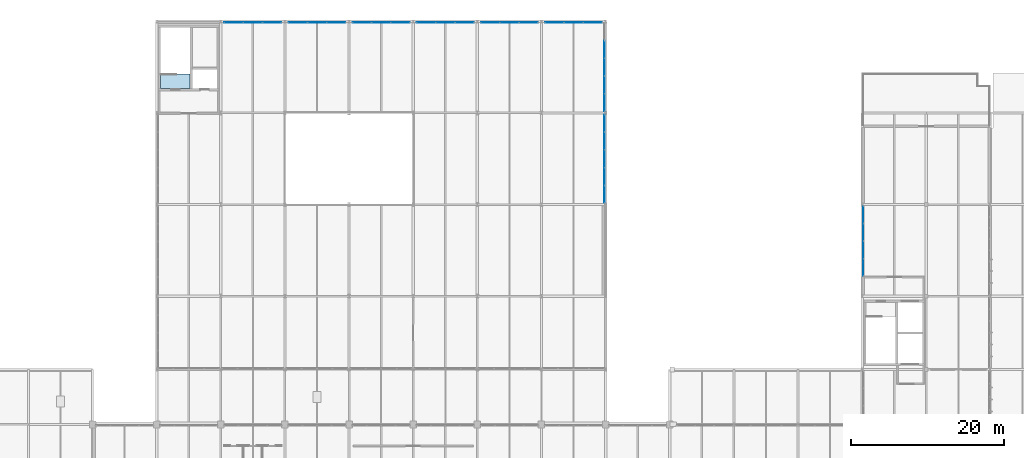
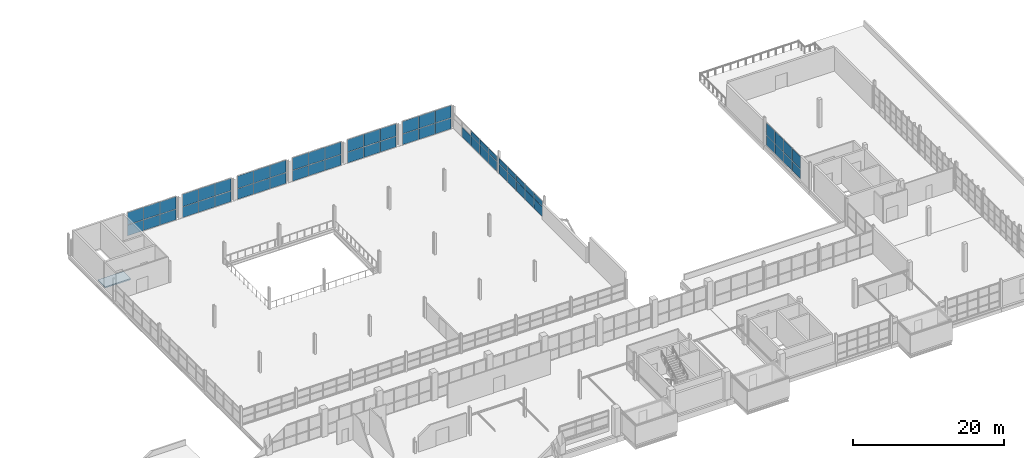
# One storey, part 88 of 103: 61 plates, 1 slab, 9 elements without a shape of their own.
"""IFC4 building model written with IfcOpenShell, lengths in metres."""

from ifc_helpers import new_model, si_unit, direction, frame, origin, origin_2d, place, context, subcontext, project, spatial, polyline, rectangle, outline, extrude, material, layer, layer_set, type_object, element, aggregate, save


model = new_model("IFC4")

# Units and contexts
model_context = context("Model", 3, precision=1e-05, world=origin(), true_north=direction((0.0, 1.0)))
body_context = subcontext(model_context, "Body", "Model", "MODEL_VIEW")
ifc_project = project(units=[si_unit("LENGTHUNIT", "METRE"), si_unit("AREAUNIT", "SQUARE_METRE"), si_unit("VOLUMEUNIT", "CUBIC_METRE"), si_unit("PLANEANGLEUNIT", "RADIAN"), si_unit("MASSUNIT", "GRAM", prefix="KILO")], contexts=[model_context])

# Site, building, storey
site_placement = place(None, origin())
site = spatial("IfcSite", under=ifc_project, at=site_placement, CompositionType="ELEMENT")
building_placement = place(site_placement, origin())
building = spatial("IfcBuilding", under=site, at=building_placement, Name="Veltarok Museum of Natural Sciences", CompositionType="ELEMENT")
storey_placement = place(building_placement, frame((0.0, 0.0, 21.89990234375)))
storey = spatial("IfcBuildingStorey", under=building, at=storey_placement, Name="L04", CompositionType="ELEMENT", Elevation=21.89990234375)

# Slab
ifc_material_1 = material(Name="Concrete C35/45", Category="concrete")
ifc_layer_1 = layer(ifc_material_1, 0.199951171875)
ifc_layer_set_1 = layer_set([ifc_layer_1], Name="Concrete C35/45")
slab_type = type_object("IfcSlabType", Name="Protected Stair Intermediate Landing Slab 200", PredefinedType="LANDING", material=ifc_layer_set_1)
slab_placement = place(storey_placement, frame((0.0, 0.0, -0.199951171875)))
element("IfcSlab", 1, at=slab_placement, inside=storey, type_object=slab_type, Name="Top Stairwell Landing ST-03 L04", PredefinedType="LANDING", context=body_context, shape_type="SweptSolid", body=[
    extrude(outline(polyline([(40.510009765625, 63.179931640625), (44.389892578125, 63.179931640625), (44.389892578125, 65.10009765625), (40.510009765625, 65.10009765625), (40.510009765625, 63.179931640625)])), origin(), (0.0, 0.0, 1.0), 0.199951171875),
])

# Curtain wall, plates
ifc_material_2 = material(Name="Low-iron triple insulated glass", Category="glass")
curtain_wall_type_1 = type_object("IfcCurtainWallType", Name="Curtain Wall System CW-V2N-L04-6-756x388 (V2 North Hall L04 6-7 756x388cm)", PredefinedType="NOTDEFINED", material=ifc_material_2)
curtain_wall_1_placement = place(storey_placement, origin())
curtain_wall_1 = element("IfcCurtainWall", 2, at=curtain_wall_1_placement, inside=storey, type_object=curtain_wall_type_1, Name="Curtain Wall CW-V2N-L04-6-756x388 CW-0061", PredefinedType="NOTDEFINED")
ifc_layer_2 = layer(ifc_material_2, 0.028076171875)
ifc_layer_set_2 = layer_set([ifc_layer_2], Name="Low-iron triple insulated glass")
plate_type = type_object("IfcPlateType", Name="Triple Low-Iron Glazed Vision Panel 28", PredefinedType="CURTAIN_PANEL", material=ifc_layer_set_2)
plate_1_placement = place(storey_placement, frame((55.10498046875, 71.85009765625, 0.06005859375), z_axis=(0.0, 0.0, 1.0), x_axis=(-1.0, 0.0, 0.0)))
plate_1 = element("IfcPlate", 3, at=plate_1_placement, type_object=plate_type, Name="CW-V2N-L04-6-756x388 panel 1.1", PredefinedType="CURTAIN_PANEL", context=body_context, shape_type="SweptSolid", body=[
    extrude(rectangle(XDim=2.429931640625, YDim=0.028076171875, at=origin_2d()), origin(), (0.0, 0.0, 1.0), 1.7099609375),
])
plate_2_placement = place(storey_placement, frame((55.10498046875, 71.85009765625, 1.830078125), z_axis=(0.0, 0.0, 1.0), x_axis=(-1.0, 0.0, 0.0)))
plate_2 = element("IfcPlate", 4, at=plate_2_placement, type_object=plate_type, Name="CW-V2N-L04-6-756x388 panel 1.2", PredefinedType="CURTAIN_PANEL", context=body_context, shape_type="SweptSolid", body=[
    extrude(rectangle(XDim=2.429931640625, YDim=0.028076171875, at=origin_2d()), origin(), (0.0, 0.0, 1.0), 1.989990234375),
])
plate_3_placement = place(storey_placement, frame((52.60009765625, 71.85009765625, 0.06005859375), z_axis=(0.0, 0.0, 1.0), x_axis=(-1.0, 0.0, 0.0)))
plate_3 = element("IfcPlate", 5, at=plate_3_placement, type_object=plate_type, Name="CW-V2N-L04-6-756x388 panel 2.1", PredefinedType="CURTAIN_PANEL", context=body_context, shape_type="SweptSolid", body=[
    extrude(rectangle(XDim=2.4599609375, YDim=0.028076171875, at=origin_2d()), origin(), (0.0, 0.0, 1.0), 1.7099609375),
])
plate_4_placement = place(storey_placement, frame((52.60009765625, 71.85009765625, 1.830078125), z_axis=(0.0, 0.0, 1.0), x_axis=(-1.0, 0.0, 0.0)))
plate_4 = element("IfcPlate", 6, at=plate_4_placement, type_object=plate_type, Name="CW-V2N-L04-6-756x388 panel 2.2", PredefinedType="CURTAIN_PANEL", context=body_context, shape_type="SweptSolid", body=[
    extrude(rectangle(XDim=2.4599609375, YDim=0.028076171875, at=origin_2d()), origin(), (0.0, 0.0, 1.0), 1.989990234375),
])
plate_5_placement = place(storey_placement, frame((50.094970703125, 71.85009765625, 0.06005859375), z_axis=(0.0, 0.0, 1.0), x_axis=(-1.0, 0.0, 0.0)))
plate_5 = element("IfcPlate", 7, at=plate_5_placement, type_object=plate_type, Name="CW-V2N-L04-6-756x388 panel 3.1", PredefinedType="CURTAIN_PANEL", context=body_context, shape_type="SweptSolid", body=[
    extrude(rectangle(XDim=2.429931640625, YDim=0.028076171875, at=origin_2d()), origin(), (0.0, 0.0, 1.0), 1.7099609375),
])
plate_6_placement = place(storey_placement, frame((50.094970703125, 71.85009765625, 1.830078125), z_axis=(0.0, 0.0, 1.0), x_axis=(-1.0, 0.0, 0.0)))
plate_6 = element("IfcPlate", 8, at=plate_6_placement, type_object=plate_type, Name="CW-V2N-L04-6-756x388 panel 3.2", PredefinedType="CURTAIN_PANEL", context=body_context, shape_type="SweptSolid", body=[
    extrude(rectangle(XDim=2.429931640625, YDim=0.028076171875, at=origin_2d()), origin(), (0.0, 0.0, 1.0), 1.989990234375),
])
aggregate(curtain_wall_1, [plate_1, plate_2, plate_3, plate_4, plate_5, plate_6])

curtain_wall_type_2 = type_object("IfcCurtainWallType", Name="Curtain Wall System CW-V2N-L04-7-756x388 (V2 North Hall L04 7-8 756x388cm)", PredefinedType="NOTDEFINED", material=ifc_material_2)
curtain_wall_2_placement = place(storey_placement, origin())
curtain_wall_2 = element("IfcCurtainWall", 9, at=curtain_wall_2_placement, inside=storey, type_object=curtain_wall_type_2, Name="Curtain Wall CW-V2N-L04-7-756x388 CW-0062", PredefinedType="NOTDEFINED")
plate_7_placement = place(storey_placement, frame((63.5048828125, 71.85009765625, 0.06005859375), z_axis=(0.0, 0.0, 1.0), x_axis=(-1.0, 0.0, 0.0)))
plate_7 = element("IfcPlate", 10, at=plate_7_placement, type_object=plate_type, Name="CW-V2N-L04-7-756x388 panel 1.1", PredefinedType="CURTAIN_PANEL", context=body_context, shape_type="SweptSolid", body=[
    extrude(rectangle(XDim=2.429931640625, YDim=0.028076171875, at=origin_2d()), origin(), (0.0, 0.0, 1.0), 1.7099609375),
])
plate_8_placement = place(storey_placement, frame((63.5048828125, 71.85009765625, 1.830078125), z_axis=(0.0, 0.0, 1.0), x_axis=(-1.0, 0.0, 0.0)))
plate_8 = element("IfcPlate", 11, at=plate_8_placement, type_object=plate_type, Name="CW-V2N-L04-7-756x388 panel 1.2", PredefinedType="CURTAIN_PANEL", context=body_context, shape_type="SweptSolid", body=[
    extrude(rectangle(XDim=2.429931640625, YDim=0.028076171875, at=origin_2d()), origin(), (0.0, 0.0, 1.0), 1.989990234375),
])
plate_9_placement = place(storey_placement, frame((61.0, 71.85009765625, 0.06005859375), z_axis=(0.0, 0.0, 1.0), x_axis=(-1.0, 0.0, 0.0)))
plate_9 = element("IfcPlate", 12, at=plate_9_placement, type_object=plate_type, Name="CW-V2N-L04-7-756x388 panel 2.1", PredefinedType="CURTAIN_PANEL", context=body_context, shape_type="SweptSolid", body=[
    extrude(rectangle(XDim=2.4599609375, YDim=0.028076171875, at=origin_2d()), origin(), (0.0, 0.0, 1.0), 1.7099609375),
])
plate_10_placement = place(storey_placement, frame((61.0, 71.85009765625, 1.830078125), z_axis=(0.0, 0.0, 1.0), x_axis=(-1.0, 0.0, 0.0)))
plate_10 = element("IfcPlate", 13, at=plate_10_placement, type_object=plate_type, Name="CW-V2N-L04-7-756x388 panel 2.2", PredefinedType="CURTAIN_PANEL", context=body_context, shape_type="SweptSolid", body=[
    extrude(rectangle(XDim=2.4599609375, YDim=0.028076171875, at=origin_2d()), origin(), (0.0, 0.0, 1.0), 1.989990234375),
])
plate_11_placement = place(storey_placement, frame((58.4951171875, 71.85009765625, 0.06005859375), z_axis=(0.0, 0.0, 1.0), x_axis=(-1.0, 0.0, 0.0)))
plate_11 = element("IfcPlate", 14, at=plate_11_placement, type_object=plate_type, Name="CW-V2N-L04-7-756x388 panel 3.1", PredefinedType="CURTAIN_PANEL", context=body_context, shape_type="SweptSolid", body=[
    extrude(rectangle(XDim=2.429931640625, YDim=0.028076171875, at=origin_2d()), origin(), (0.0, 0.0, 1.0), 1.7099609375),
])
plate_12_placement = place(storey_placement, frame((58.4951171875, 71.85009765625, 1.830078125), z_axis=(0.0, 0.0, 1.0), x_axis=(-1.0, 0.0, 0.0)))
plate_12 = element("IfcPlate", 15, at=plate_12_placement, type_object=plate_type, Name="CW-V2N-L04-7-756x388 panel 3.2", PredefinedType="CURTAIN_PANEL", context=body_context, shape_type="SweptSolid", body=[
    extrude(rectangle(XDim=2.429931640625, YDim=0.028076171875, at=origin_2d()), origin(), (0.0, 0.0, 1.0), 1.989990234375),
])
aggregate(curtain_wall_2, [plate_7, plate_8, plate_9, plate_10, plate_11, plate_12])

curtain_wall_type_3 = type_object("IfcCurtainWallType", Name="Curtain Wall System CW-V2N-L04-8-756x388 (V2 North Hall L04 8-9 756x388cm)", PredefinedType="NOTDEFINED", material=ifc_material_2)
curtain_wall_3_placement = place(storey_placement, origin())
curtain_wall_3 = element("IfcCurtainWall", 16, at=curtain_wall_3_placement, inside=storey, type_object=curtain_wall_type_3, Name="Curtain Wall CW-V2N-L04-8-756x388 CW-0063", PredefinedType="NOTDEFINED")
plate_13_placement = place(storey_placement, frame((71.905029296875, 71.85009765625, 0.06005859375), z_axis=(0.0, 0.0, 1.0), x_axis=(-1.0, 0.0, 0.0)))
plate_13 = element("IfcPlate", 17, at=plate_13_placement, type_object=plate_type, Name="CW-V2N-L04-8-756x388 panel 1.1", PredefinedType="CURTAIN_PANEL", context=body_context, shape_type="SweptSolid", body=[
    extrude(rectangle(XDim=2.429931640625, YDim=0.028076171875, at=origin_2d()), origin(), (0.0, 0.0, 1.0), 1.7099609375),
])
plate_14_placement = place(storey_placement, frame((71.905029296875, 71.85009765625, 1.830078125), z_axis=(0.0, 0.0, 1.0), x_axis=(-1.0, 0.0, 0.0)))
plate_14 = element("IfcPlate", 18, at=plate_14_placement, type_object=plate_type, Name="CW-V2N-L04-8-756x388 panel 1.2", PredefinedType="CURTAIN_PANEL", context=body_context, shape_type="SweptSolid", body=[
    extrude(rectangle(XDim=2.429931640625, YDim=0.028076171875, at=origin_2d()), origin(), (0.0, 0.0, 1.0), 1.989990234375),
])
plate_15_placement = place(storey_placement, frame((69.39990234375, 71.85009765625, 0.06005859375), z_axis=(0.0, 0.0, 1.0), x_axis=(-1.0, 0.0, 0.0)))
plate_15 = element("IfcPlate", 19, at=plate_15_placement, type_object=plate_type, Name="CW-V2N-L04-8-756x388 panel 2.1", PredefinedType="CURTAIN_PANEL", context=body_context, shape_type="SweptSolid", body=[
    extrude(rectangle(XDim=2.4599609375, YDim=0.028076171875, at=origin_2d()), origin(), (0.0, 0.0, 1.0), 1.7099609375),
])
plate_16_placement = place(storey_placement, frame((69.39990234375, 71.85009765625, 1.830078125), z_axis=(0.0, 0.0, 1.0), x_axis=(-1.0, 0.0, 0.0)))
plate_16 = element("IfcPlate", 20, at=plate_16_placement, type_object=plate_type, Name="CW-V2N-L04-8-756x388 panel 2.2", PredefinedType="CURTAIN_PANEL", context=body_context, shape_type="SweptSolid", body=[
    extrude(rectangle(XDim=2.4599609375, YDim=0.028076171875, at=origin_2d()), origin(), (0.0, 0.0, 1.0), 1.989990234375),
])
plate_17_placement = place(storey_placement, frame((66.89501953125, 71.85009765625, 0.06005859375), z_axis=(0.0, 0.0, 1.0), x_axis=(-1.0, 0.0, 0.0)))
plate_17 = element("IfcPlate", 21, at=plate_17_placement, type_object=plate_type, Name="CW-V2N-L04-8-756x388 panel 3.1", PredefinedType="CURTAIN_PANEL", context=body_context, shape_type="SweptSolid", body=[
    extrude(rectangle(XDim=2.429931640625, YDim=0.028076171875, at=origin_2d()), origin(), (0.0, 0.0, 1.0), 1.7099609375),
])
plate_18_placement = place(storey_placement, frame((66.89501953125, 71.85009765625, 1.830078125), z_axis=(0.0, 0.0, 1.0), x_axis=(-1.0, 0.0, 0.0)))
plate_18 = element("IfcPlate", 22, at=plate_18_placement, type_object=plate_type, Name="CW-V2N-L04-8-756x388 panel 3.2", PredefinedType="CURTAIN_PANEL", context=body_context, shape_type="SweptSolid", body=[
    extrude(rectangle(XDim=2.429931640625, YDim=0.028076171875, at=origin_2d()), origin(), (0.0, 0.0, 1.0), 1.989990234375),
])
aggregate(curtain_wall_3, [plate_13, plate_14, plate_15, plate_16, plate_17, plate_18])

curtain_wall_type_4 = type_object("IfcCurtainWallType", Name="Curtain Wall System CW-V2N-L04-9-756x388 (V2 North Hall L04 9-10 756x388cm)", PredefinedType="NOTDEFINED", material=ifc_material_2)
curtain_wall_4_placement = place(storey_placement, origin())
curtain_wall_4 = element("IfcCurtainWall", 23, at=curtain_wall_4_placement, inside=storey, type_object=curtain_wall_type_4, Name="Curtain Wall CW-V2N-L04-9-756x388 CW-0064", PredefinedType="NOTDEFINED")
plate_19_placement = place(storey_placement, frame((80.304931640625, 71.85009765625, 0.06005859375), z_axis=(0.0, 0.0, 1.0), x_axis=(-1.0, 0.0, 0.0)))
plate_19 = element("IfcPlate", 24, at=plate_19_placement, type_object=plate_type, Name="CW-V2N-L04-9-756x388 panel 1.1", PredefinedType="CURTAIN_PANEL", context=body_context, shape_type="SweptSolid", body=[
    extrude(rectangle(XDim=2.429931640625, YDim=0.028076171875, at=origin_2d()), origin(), (0.0, 0.0, 1.0), 1.7099609375),
])
plate_20_placement = place(storey_placement, frame((80.304931640625, 71.85009765625, 1.830078125), z_axis=(0.0, 0.0, 1.0), x_axis=(-1.0, 0.0, 0.0)))
plate_20 = element("IfcPlate", 25, at=plate_20_placement, type_object=plate_type, Name="CW-V2N-L04-9-756x388 panel 1.2", PredefinedType="CURTAIN_PANEL", context=body_context, shape_type="SweptSolid", body=[
    extrude(rectangle(XDim=2.429931640625, YDim=0.028076171875, at=origin_2d()), origin(), (0.0, 0.0, 1.0), 1.989990234375),
])
plate_21_placement = place(storey_placement, frame((77.800048828125, 71.85009765625, 0.06005859375), z_axis=(0.0, 0.0, 1.0), x_axis=(-1.0, 0.0, 0.0)))
plate_21 = element("IfcPlate", 26, at=plate_21_placement, type_object=plate_type, Name="CW-V2N-L04-9-756x388 panel 2.1", PredefinedType="CURTAIN_PANEL", context=body_context, shape_type="SweptSolid", body=[
    extrude(rectangle(XDim=2.4599609375, YDim=0.028076171875, at=origin_2d()), origin(), (0.0, 0.0, 1.0), 1.7099609375),
])
plate_22_placement = place(storey_placement, frame((77.800048828125, 71.85009765625, 1.830078125), z_axis=(0.0, 0.0, 1.0), x_axis=(-1.0, 0.0, 0.0)))
plate_22 = element("IfcPlate", 27, at=plate_22_placement, type_object=plate_type, Name="CW-V2N-L04-9-756x388 panel 2.2", PredefinedType="CURTAIN_PANEL", context=body_context, shape_type="SweptSolid", body=[
    extrude(rectangle(XDim=2.4599609375, YDim=0.028076171875, at=origin_2d()), origin(), (0.0, 0.0, 1.0), 1.989990234375),
])
plate_23_placement = place(storey_placement, frame((75.294921875, 71.85009765625, 0.06005859375), z_axis=(0.0, 0.0, 1.0), x_axis=(-1.0, 0.0, 0.0)))
plate_23 = element("IfcPlate", 28, at=plate_23_placement, type_object=plate_type, Name="CW-V2N-L04-9-756x388 panel 3.1", PredefinedType="CURTAIN_PANEL", context=body_context, shape_type="SweptSolid", body=[
    extrude(rectangle(XDim=2.429931640625, YDim=0.028076171875, at=origin_2d()), origin(), (0.0, 0.0, 1.0), 1.7099609375),
])
plate_24_placement = place(storey_placement, frame((75.294921875, 71.85009765625, 1.830078125), z_axis=(0.0, 0.0, 1.0), x_axis=(-1.0, 0.0, 0.0)))
plate_24 = element("IfcPlate", 29, at=plate_24_placement, type_object=plate_type, Name="CW-V2N-L04-9-756x388 panel 3.2", PredefinedType="CURTAIN_PANEL", context=body_context, shape_type="SweptSolid", body=[
    extrude(rectangle(XDim=2.429931640625, YDim=0.028076171875, at=origin_2d()), origin(), (0.0, 0.0, 1.0), 1.989990234375),
])
aggregate(curtain_wall_4, [plate_19, plate_20, plate_21, plate_22, plate_23, plate_24])

curtain_wall_type_5 = type_object("IfcCurtainWallType", Name="Curtain Wall System CW-V2N-L04-10-756x388 (V2 North Hall L04 10-11 756x388cm)", PredefinedType="NOTDEFINED", material=ifc_material_2)
curtain_wall_5_placement = place(storey_placement, origin())
curtain_wall_5 = element("IfcCurtainWall", 30, at=curtain_wall_5_placement, inside=storey, type_object=curtain_wall_type_5, Name="Curtain Wall CW-V2N-L04-10-756x388 CW-0065", PredefinedType="NOTDEFINED")
plate_25_placement = place(storey_placement, frame((88.705078125, 71.85009765625, 0.06005859375), z_axis=(0.0, 0.0, 1.0), x_axis=(-1.0, 0.0, 0.0)))
plate_25 = element("IfcPlate", 31, at=plate_25_placement, type_object=plate_type, Name="CW-V2N-L04-10-756x388 panel 1.1", PredefinedType="CURTAIN_PANEL", context=body_context, shape_type="SweptSolid", body=[
    extrude(rectangle(XDim=2.429931640625, YDim=0.028076171875, at=origin_2d()), origin(), (0.0, 0.0, 1.0), 1.7099609375),
])
plate_26_placement = place(storey_placement, frame((88.705078125, 71.85009765625, 1.830078125), z_axis=(0.0, 0.0, 1.0), x_axis=(-1.0, 0.0, 0.0)))
plate_26 = element("IfcPlate", 32, at=plate_26_placement, type_object=plate_type, Name="CW-V2N-L04-10-756x388 panel 1.2", PredefinedType="CURTAIN_PANEL", context=body_context, shape_type="SweptSolid", body=[
    extrude(rectangle(XDim=2.429931640625, YDim=0.028076171875, at=origin_2d()), origin(), (0.0, 0.0, 1.0), 1.989990234375),
])
plate_27_placement = place(storey_placement, frame((86.199951171875, 71.85009765625, 0.06005859375), z_axis=(0.0, 0.0, 1.0), x_axis=(-1.0, 0.0, 0.0)))
plate_27 = element("IfcPlate", 33, at=plate_27_placement, type_object=plate_type, Name="CW-V2N-L04-10-756x388 panel 2.1", PredefinedType="CURTAIN_PANEL", context=body_context, shape_type="SweptSolid", body=[
    extrude(rectangle(XDim=2.4599609375, YDim=0.028076171875, at=origin_2d()), origin(), (0.0, 0.0, 1.0), 1.7099609375),
])
plate_28_placement = place(storey_placement, frame((86.199951171875, 71.85009765625, 1.830078125), z_axis=(0.0, 0.0, 1.0), x_axis=(-1.0, 0.0, 0.0)))
plate_28 = element("IfcPlate", 34, at=plate_28_placement, type_object=plate_type, Name="CW-V2N-L04-10-756x388 panel 2.2", PredefinedType="CURTAIN_PANEL", context=body_context, shape_type="SweptSolid", body=[
    extrude(rectangle(XDim=2.4599609375, YDim=0.028076171875, at=origin_2d()), origin(), (0.0, 0.0, 1.0), 1.989990234375),
])
plate_29_placement = place(storey_placement, frame((83.695068359375, 71.85009765625, 0.06005859375), z_axis=(0.0, 0.0, 1.0), x_axis=(-1.0, 0.0, 0.0)))
plate_29 = element("IfcPlate", 35, at=plate_29_placement, type_object=plate_type, Name="CW-V2N-L04-10-756x388 panel 3.1", PredefinedType="CURTAIN_PANEL", context=body_context, shape_type="SweptSolid", body=[
    extrude(rectangle(XDim=2.429931640625, YDim=0.028076171875, at=origin_2d()), origin(), (0.0, 0.0, 1.0), 1.7099609375),
])
plate_30_placement = place(storey_placement, frame((83.695068359375, 71.85009765625, 1.830078125), z_axis=(0.0, 0.0, 1.0), x_axis=(-1.0, 0.0, 0.0)))
plate_30 = element("IfcPlate", 36, at=plate_30_placement, type_object=plate_type, Name="CW-V2N-L04-10-756x388 panel 3.2", PredefinedType="CURTAIN_PANEL", context=body_context, shape_type="SweptSolid", body=[
    extrude(rectangle(XDim=2.429931640625, YDim=0.028076171875, at=origin_2d()), origin(), (0.0, 0.0, 1.0), 1.989990234375),
])
aggregate(curtain_wall_5, [plate_25, plate_26, plate_27, plate_28, plate_29, plate_30])

curtain_wall_type_6 = type_object("IfcCurtainWallType", Name="Curtain Wall System CW-V2N-L04-11-756x388 (V2 North Hall L04 11-12 756x388cm)", PredefinedType="NOTDEFINED", material=ifc_material_2)
curtain_wall_6_placement = place(storey_placement, origin())
curtain_wall_6 = element("IfcCurtainWall", 37, at=curtain_wall_6_placement, inside=storey, type_object=curtain_wall_type_6, Name="Curtain Wall CW-V2N-L04-11-756x388 CW-0066", PredefinedType="NOTDEFINED")
plate_31_placement = place(storey_placement, frame((97.10498046875, 71.85009765625, 0.06005859375), z_axis=(0.0, 0.0, 1.0), x_axis=(-1.0, 0.0, 0.0)))
plate_31 = element("IfcPlate", 38, at=plate_31_placement, type_object=plate_type, Name="CW-V2N-L04-11-756x388 panel 1.1", PredefinedType="CURTAIN_PANEL", context=body_context, shape_type="SweptSolid", body=[
    extrude(rectangle(XDim=2.429931640625, YDim=0.028076171875, at=origin_2d()), origin(), (0.0, 0.0, 1.0), 1.7099609375),
])
plate_32_placement = place(storey_placement, frame((97.10498046875, 71.85009765625, 1.830078125), z_axis=(0.0, 0.0, 1.0), x_axis=(-1.0, 0.0, 0.0)))
plate_32 = element("IfcPlate", 39, at=plate_32_placement, type_object=plate_type, Name="CW-V2N-L04-11-756x388 panel 1.2", PredefinedType="CURTAIN_PANEL", context=body_context, shape_type="SweptSolid", body=[
    extrude(rectangle(XDim=2.429931640625, YDim=0.028076171875, at=origin_2d()), origin(), (0.0, 0.0, 1.0), 1.989990234375),
])
plate_33_placement = place(storey_placement, frame((94.60009765625, 71.85009765625, 0.06005859375), z_axis=(0.0, 0.0, 1.0), x_axis=(-1.0, 0.0, 0.0)))
plate_33 = element("IfcPlate", 40, at=plate_33_placement, type_object=plate_type, Name="CW-V2N-L04-11-756x388 panel 2.1", PredefinedType="CURTAIN_PANEL", context=body_context, shape_type="SweptSolid", body=[
    extrude(rectangle(XDim=2.4599609375, YDim=0.028076171875, at=origin_2d()), origin(), (0.0, 0.0, 1.0), 1.7099609375),
])
plate_34_placement = place(storey_placement, frame((94.60009765625, 71.85009765625, 1.830078125), z_axis=(0.0, 0.0, 1.0), x_axis=(-1.0, 0.0, 0.0)))
plate_34 = element("IfcPlate", 41, at=plate_34_placement, type_object=plate_type, Name="CW-V2N-L04-11-756x388 panel 2.2", PredefinedType="CURTAIN_PANEL", context=body_context, shape_type="SweptSolid", body=[
    extrude(rectangle(XDim=2.4599609375, YDim=0.028076171875, at=origin_2d()), origin(), (0.0, 0.0, 1.0), 1.989990234375),
])
plate_35_placement = place(storey_placement, frame((92.094970703125, 71.85009765625, 0.06005859375), z_axis=(0.0, 0.0, 1.0), x_axis=(-1.0, 0.0, 0.0)))
plate_35 = element("IfcPlate", 42, at=plate_35_placement, type_object=plate_type, Name="CW-V2N-L04-11-756x388 panel 3.1", PredefinedType="CURTAIN_PANEL", context=body_context, shape_type="SweptSolid", body=[
    extrude(rectangle(XDim=2.429931640625, YDim=0.028076171875, at=origin_2d()), origin(), (0.0, 0.0, 1.0), 1.7099609375),
])
plate_36_placement = place(storey_placement, frame((92.094970703125, 71.85009765625, 1.830078125), z_axis=(0.0, 0.0, 1.0), x_axis=(-1.0, 0.0, 0.0)))
plate_36 = element("IfcPlate", 43, at=plate_36_placement, type_object=plate_type, Name="CW-V2N-L04-11-756x388 panel 3.2", PredefinedType="CURTAIN_PANEL", context=body_context, shape_type="SweptSolid", body=[
    extrude(rectangle(XDim=2.429931640625, YDim=0.028076171875, at=origin_2d()), origin(), (0.0, 0.0, 1.0), 1.989990234375),
])
aggregate(curtain_wall_6, [plate_31, plate_32, plate_33, plate_34, plate_35, plate_36])

curtain_wall_type_7 = type_object("IfcCurtainWallType", Name="Curtain Wall System CW-V2E-L04-1-1166x259 (CW-V2E L04 1166x259cm)", PredefinedType="NOTDEFINED", material=ifc_material_2)
curtain_wall_7_placement = place(storey_placement, origin())
curtain_wall_7 = element("IfcCurtainWall", 44, at=curtain_wall_7_placement, inside=storey, type_object=curtain_wall_type_7, Name="Curtain Wall CW-V2E-L04-1-1166x259 CW-0137", PredefinedType="NOTDEFINED")
plate_37_placement = place(storey_placement, frame((98.64990234375, 49.35107421875, 0.05810546875), z_axis=(0.0, 0.0, 1.0), x_axis=(0.0, 1.0, 0.0)))
plate_37 = element("IfcPlate", 45, at=plate_37_placement, type_object=plate_type, Name="CW-V2E-L04-1-1166x259 panel 1.1", PredefinedType="CURTAIN_PANEL", context=body_context, shape_type="SweptSolid", body=[
    extrude(rectangle(XDim=2.241943359375, YDim=0.028076171875, at=origin_2d()), origin(), (0.0, 0.0, 1.0), 1.56005859375),
])
plate_38_placement = place(storey_placement, frame((98.64990234375, 49.35107421875, 1.677978515625), z_axis=(0.0, 0.0, 1.0), x_axis=(0.0, 1.0, 0.0)))
plate_38 = element("IfcPlate", 46, at=plate_38_placement, type_object=plate_type, Name="CW-V2E-L04-1-1166x259 panel 1.2", PredefinedType="CURTAIN_PANEL", context=body_context, shape_type="SweptSolid", body=[
    extrude(rectangle(XDim=2.241943359375, YDim=0.028076171875, at=origin_2d()), origin(), (0.0, 0.0, 1.0), 0.85205078125),
])
plate_39_placement = place(storey_placement, frame((98.64990234375, 51.66796875, 0.05810546875), z_axis=(0.0, 0.0, 1.0), x_axis=(0.0, 1.0, 0.0)))
plate_39 = element("IfcPlate", 47, at=plate_39_placement, type_object=plate_type, Name="CW-V2E-L04-1-1166x259 panel 2.1", PredefinedType="CURTAIN_PANEL", context=body_context, shape_type="SweptSolid", body=[
    extrude(rectangle(XDim=2.27197265625, YDim=0.028076171875, at=origin_2d()), origin(), (0.0, 0.0, 1.0), 1.56005859375),
])
plate_40_placement = place(storey_placement, frame((98.64990234375, 51.66796875, 1.677978515625), z_axis=(0.0, 0.0, 1.0), x_axis=(0.0, 1.0, 0.0)))
plate_40 = element("IfcPlate", 48, at=plate_40_placement, type_object=plate_type, Name="CW-V2E-L04-1-1166x259 panel 2.2", PredefinedType="CURTAIN_PANEL", context=body_context, shape_type="SweptSolid", body=[
    extrude(rectangle(XDim=2.27197265625, YDim=0.028076171875, at=origin_2d()), origin(), (0.0, 0.0, 1.0), 0.85205078125),
])
plate_41_placement = place(storey_placement, frame((98.64990234375, 54.0, 0.05810546875), z_axis=(0.0, 0.0, 1.0), x_axis=(0.0, 1.0, 0.0)))
plate_41 = element("IfcPlate", 49, at=plate_41_placement, type_object=plate_type, Name="CW-V2E-L04-1-1166x259 panel 3.1", PredefinedType="CURTAIN_PANEL", context=body_context, shape_type="SweptSolid", body=[
    extrude(rectangle(XDim=2.27197265625, YDim=0.028076171875, at=origin_2d()), origin(), (0.0, 0.0, 1.0), 1.56005859375),
])
plate_42_placement = place(storey_placement, frame((98.64990234375, 54.0, 1.677978515625), z_axis=(0.0, 0.0, 1.0), x_axis=(0.0, 1.0, 0.0)))
plate_42 = element("IfcPlate", 50, at=plate_42_placement, type_object=plate_type, Name="CW-V2E-L04-1-1166x259 panel 3.2", PredefinedType="CURTAIN_PANEL", context=body_context, shape_type="SweptSolid", body=[
    extrude(rectangle(XDim=2.27197265625, YDim=0.028076171875, at=origin_2d()), origin(), (0.0, 0.0, 1.0), 0.85205078125),
])
plate_43_placement = place(storey_placement, frame((98.64990234375, 56.33203125, 0.05810546875), z_axis=(0.0, 0.0, 1.0), x_axis=(0.0, 1.0, 0.0)))
plate_43 = element("IfcPlate", 51, at=plate_43_placement, type_object=plate_type, Name="CW-V2E-L04-1-1166x259 panel 4.1", PredefinedType="CURTAIN_PANEL", context=body_context, shape_type="SweptSolid", body=[
    extrude(rectangle(XDim=2.27197265625, YDim=0.028076171875, at=origin_2d()), origin(), (0.0, 0.0, 1.0), 1.56005859375),
])
plate_44_placement = place(storey_placement, frame((98.64990234375, 56.33203125, 1.677978515625), z_axis=(0.0, 0.0, 1.0), x_axis=(0.0, 1.0, 0.0)))
plate_44 = element("IfcPlate", 52, at=plate_44_placement, type_object=plate_type, Name="CW-V2E-L04-1-1166x259 panel 4.2", PredefinedType="CURTAIN_PANEL", context=body_context, shape_type="SweptSolid", body=[
    extrude(rectangle(XDim=2.27197265625, YDim=0.028076171875, at=origin_2d()), origin(), (0.0, 0.0, 1.0), 0.85205078125),
])
plate_45_placement = place(storey_placement, frame((98.64990234375, 58.64892578125, 0.05810546875), z_axis=(0.0, 0.0, 1.0), x_axis=(0.0, 1.0, 0.0)))
plate_45 = element("IfcPlate", 53, at=plate_45_placement, type_object=plate_type, Name="CW-V2E-L04-1-1166x259 panel 5.1", PredefinedType="CURTAIN_PANEL", context=body_context, shape_type="SweptSolid", body=[
    extrude(rectangle(XDim=2.241943359375, YDim=0.028076171875, at=origin_2d()), origin(), (0.0, 0.0, 1.0), 1.56005859375),
])
plate_46_placement = place(storey_placement, frame((98.64990234375, 58.64892578125, 1.677978515625), z_axis=(0.0, 0.0, 1.0), x_axis=(0.0, 1.0, 0.0)))
plate_46 = element("IfcPlate", 54, at=plate_46_placement, type_object=plate_type, Name="CW-V2E-L04-1-1166x259 panel 5.2", PredefinedType="CURTAIN_PANEL", context=body_context, shape_type="SweptSolid", body=[
    extrude(rectangle(XDim=2.241943359375, YDim=0.028076171875, at=origin_2d()), origin(), (0.0, 0.0, 1.0), 0.85205078125),
])
aggregate(curtain_wall_7, [plate_37, plate_38, plate_39, plate_40, plate_41, plate_42, plate_43, plate_44, plate_45, plate_46])

curtain_wall_type_8 = type_object("IfcCurtainWallType", Name="Curtain Wall System CW-V2E-L04-2-1166x254 (CW-V2E L04 1166x254cm)", PredefinedType="NOTDEFINED", material=ifc_material_2)
curtain_wall_8_placement = place(storey_placement, origin())
curtain_wall_8 = element("IfcCurtainWall", 55, at=curtain_wall_8_placement, inside=storey, type_object=curtain_wall_type_8, Name="Curtain Wall CW-V2E-L04-2-1166x254 CW-0138", PredefinedType="NOTDEFINED")
plate_47_placement = place(storey_placement, frame((98.64990234375, 61.35107421875, 0.05810546875), z_axis=(0.0, 0.0, 1.0), x_axis=(0.0, 1.0, 0.0)))
plate_47 = element("IfcPlate", 56, at=plate_47_placement, type_object=plate_type, Name="CW-V2E-L04-2-1166x254 panel 1.1", PredefinedType="CURTAIN_PANEL", context=body_context, shape_type="SweptSolid", body=[
    extrude(rectangle(XDim=2.241943359375, YDim=0.028076171875, at=origin_2d()), origin(), (0.0, 0.0, 1.0), 1.56005859375),
])
plate_48_placement = place(storey_placement, frame((98.64990234375, 61.35107421875, 1.67822265625), z_axis=(0.0, 0.0, 1.0), x_axis=(0.0, 1.0, 0.0)))
plate_48 = element("IfcPlate", 57, at=plate_48_placement, type_object=plate_type, Name="CW-V2E-L04-2-1166x254 panel 1.2", PredefinedType="CURTAIN_PANEL", context=body_context, shape_type="SweptSolid", body=[
    extrude(rectangle(XDim=2.241943359375, YDim=0.028076171875, at=origin_2d()), origin(), (0.0, 0.0, 1.0), 0.802001953125),
])
plate_49_placement = place(storey_placement, frame((98.64990234375, 63.66796875, 0.05810546875), z_axis=(0.0, 0.0, 1.0), x_axis=(0.0, 1.0, 0.0)))
plate_49 = element("IfcPlate", 58, at=plate_49_placement, type_object=plate_type, Name="CW-V2E-L04-2-1166x254 panel 2.1", PredefinedType="CURTAIN_PANEL", context=body_context, shape_type="SweptSolid", body=[
    extrude(rectangle(XDim=2.27197265625, YDim=0.028076171875, at=origin_2d()), origin(), (0.0, 0.0, 1.0), 1.56005859375),
])
plate_50_placement = place(storey_placement, frame((98.64990234375, 63.66796875, 1.67822265625), z_axis=(0.0, 0.0, 1.0), x_axis=(0.0, 1.0, 0.0)))
plate_50 = element("IfcPlate", 59, at=plate_50_placement, type_object=plate_type, Name="CW-V2E-L04-2-1166x254 panel 2.2", PredefinedType="CURTAIN_PANEL", context=body_context, shape_type="SweptSolid", body=[
    extrude(rectangle(XDim=2.27197265625, YDim=0.028076171875, at=origin_2d()), origin(), (0.0, 0.0, 1.0), 0.802001953125),
])
plate_51_placement = place(storey_placement, frame((98.64990234375, 66.0, 0.05810546875), z_axis=(0.0, 0.0, 1.0), x_axis=(0.0, 1.0, 0.0)))
plate_51 = element("IfcPlate", 60, at=plate_51_placement, type_object=plate_type, Name="CW-V2E-L04-2-1166x254 panel 3.1", PredefinedType="CURTAIN_PANEL", context=body_context, shape_type="SweptSolid", body=[
    extrude(rectangle(XDim=2.27197265625, YDim=0.028076171875, at=origin_2d()), origin(), (0.0, 0.0, 1.0), 1.56005859375),
])
plate_52_placement = place(storey_placement, frame((98.64990234375, 66.0, 1.67822265625), z_axis=(0.0, 0.0, 1.0), x_axis=(0.0, 1.0, 0.0)))
plate_52 = element("IfcPlate", 61, at=plate_52_placement, type_object=plate_type, Name="CW-V2E-L04-2-1166x254 panel 3.2", PredefinedType="CURTAIN_PANEL", context=body_context, shape_type="SweptSolid", body=[
    extrude(rectangle(XDim=2.27197265625, YDim=0.028076171875, at=origin_2d()), origin(), (0.0, 0.0, 1.0), 0.802001953125),
])
plate_53_placement = place(storey_placement, frame((98.64990234375, 68.33203125, 0.05810546875), z_axis=(0.0, 0.0, 1.0), x_axis=(0.0, 1.0, 0.0)))
plate_53 = element("IfcPlate", 62, at=plate_53_placement, type_object=plate_type, Name="CW-V2E-L04-2-1166x254 panel 4.1", PredefinedType="CURTAIN_PANEL", context=body_context, shape_type="SweptSolid", body=[
    extrude(rectangle(XDim=2.27197265625, YDim=0.028076171875, at=origin_2d()), origin(), (0.0, 0.0, 1.0), 1.56005859375),
])
aggregate(curtain_wall_8, [plate_47, plate_48, plate_49, plate_50, plate_51, plate_52, plate_53])

curtain_wall_type_9 = type_object("IfcCurtainWallType", Name="Curtain Wall System CW-V5CW-L04-3-923x373 (CW-V5CW L04 923x373cm)", PredefinedType="NOTDEFINED", material=ifc_material_2)
curtain_wall_9_placement = place(storey_placement, origin())
curtain_wall_9 = element("IfcCurtainWall", 63, at=curtain_wall_9_placement, inside=storey, type_object=curtain_wall_type_9, Name="Curtain Wall CW-V5CW-L04-3-923x373 CW-0183", PredefinedType="NOTDEFINED")
plate_54_placement = place(storey_placement, frame((132.550048828125, 39.768798828125, 0.05810546875), z_axis=(0.0, 0.0, 1.0), x_axis=(0.0, 1.0, 0.0)))
plate_54 = element("IfcPlate", 64, at=plate_54_placement, type_object=plate_type, Name="CW-V5CW-L04-3-923x373 panel 1.1", PredefinedType="CURTAIN_PANEL", context=body_context, shape_type="SweptSolid", body=[
    extrude(rectangle(XDim=2.217529296875, YDim=0.028076171875, at=origin_2d()), origin(), (0.0, 0.0, 1.0), 1.56005859375),
])
plate_55_placement = place(storey_placement, frame((132.550048828125, 39.768798828125, 1.67822265625), z_axis=(0.0, 0.0, 1.0), x_axis=(0.0, 1.0, 0.0)))
plate_55 = element("IfcPlate", 65, at=plate_55_placement, type_object=plate_type, Name="CW-V5CW-L04-3-923x373 panel 1.2", PredefinedType="CURTAIN_PANEL", context=body_context, shape_type="SweptSolid", body=[
    extrude(rectangle(XDim=2.217529296875, YDim=0.028076171875, at=origin_2d()), origin(), (0.0, 0.0, 1.0), 1.991943359375),
])
plate_56_placement = place(storey_placement, frame((132.550048828125, 42.061279296875, 0.05810546875), z_axis=(0.0, 0.0, 1.0), x_axis=(0.0, 1.0, 0.0)))
plate_56 = element("IfcPlate", 66, at=plate_56_placement, type_object=plate_type, Name="CW-V5CW-L04-3-923x373 panel 2.1", PredefinedType="CURTAIN_PANEL", context=body_context, shape_type="SweptSolid", body=[
    extrude(rectangle(XDim=2.24755859375, YDim=0.028076171875, at=origin_2d()), origin(), (0.0, 0.0, 1.0), 1.56005859375),
])
plate_57_placement = place(storey_placement, frame((132.550048828125, 42.061279296875, 1.67822265625), z_axis=(0.0, 0.0, 1.0), x_axis=(0.0, 1.0, 0.0)))
plate_57 = element("IfcPlate", 67, at=plate_57_placement, type_object=plate_type, Name="CW-V5CW-L04-3-923x373 panel 2.2", PredefinedType="CURTAIN_PANEL", context=body_context, shape_type="SweptSolid", body=[
    extrude(rectangle(XDim=2.24755859375, YDim=0.028076171875, at=origin_2d()), origin(), (0.0, 0.0, 1.0), 1.991943359375),
])
plate_58_placement = place(storey_placement, frame((132.550048828125, 44.36865234375, 0.05810546875), z_axis=(0.0, 0.0, 1.0), x_axis=(0.0, 1.0, 0.0)))
plate_58 = element("IfcPlate", 68, at=plate_58_placement, type_object=plate_type, Name="CW-V5CW-L04-3-923x373 panel 3.1", PredefinedType="CURTAIN_PANEL", context=body_context, shape_type="SweptSolid", body=[
    extrude(rectangle(XDim=2.24755859375, YDim=0.028076171875, at=origin_2d()), origin(), (0.0, 0.0, 1.0), 1.56005859375),
])
plate_59_placement = place(storey_placement, frame((132.550048828125, 44.36865234375, 1.67822265625), z_axis=(0.0, 0.0, 1.0), x_axis=(0.0, 1.0, 0.0)))
plate_59 = element("IfcPlate", 69, at=plate_59_placement, type_object=plate_type, Name="CW-V5CW-L04-3-923x373 panel 3.2", PredefinedType="CURTAIN_PANEL", context=body_context, shape_type="SweptSolid", body=[
    extrude(rectangle(XDim=2.24755859375, YDim=0.028076171875, at=origin_2d()), origin(), (0.0, 0.0, 1.0), 1.991943359375),
])
plate_60_placement = place(storey_placement, frame((132.550048828125, 46.6611328125, 0.05810546875), z_axis=(0.0, 0.0, 1.0), x_axis=(0.0, 1.0, 0.0)))
plate_60 = element("IfcPlate", 70, at=plate_60_placement, type_object=plate_type, Name="CW-V5CW-L04-3-923x373 panel 4.1", PredefinedType="CURTAIN_PANEL", context=body_context, shape_type="SweptSolid", body=[
    extrude(rectangle(XDim=2.217529296875, YDim=0.028076171875, at=origin_2d()), origin(), (0.0, 0.0, 1.0), 1.56005859375),
])
plate_61_placement = place(storey_placement, frame((132.550048828125, 46.6611328125, 1.67822265625), z_axis=(0.0, 0.0, 1.0), x_axis=(0.0, 1.0, 0.0)))
plate_61 = element("IfcPlate", 71, at=plate_61_placement, type_object=plate_type, Name="CW-V5CW-L04-3-923x373 panel 4.2", PredefinedType="CURTAIN_PANEL", context=body_context, shape_type="SweptSolid", body=[
    extrude(rectangle(XDim=2.217529296875, YDim=0.028076171875, at=origin_2d()), origin(), (0.0, 0.0, 1.0), 1.991943359375),
])
aggregate(curtain_wall_9, [plate_54, plate_55, plate_56, plate_57, plate_58, plate_59, plate_60, plate_61])

save(model, "model.ifc")
